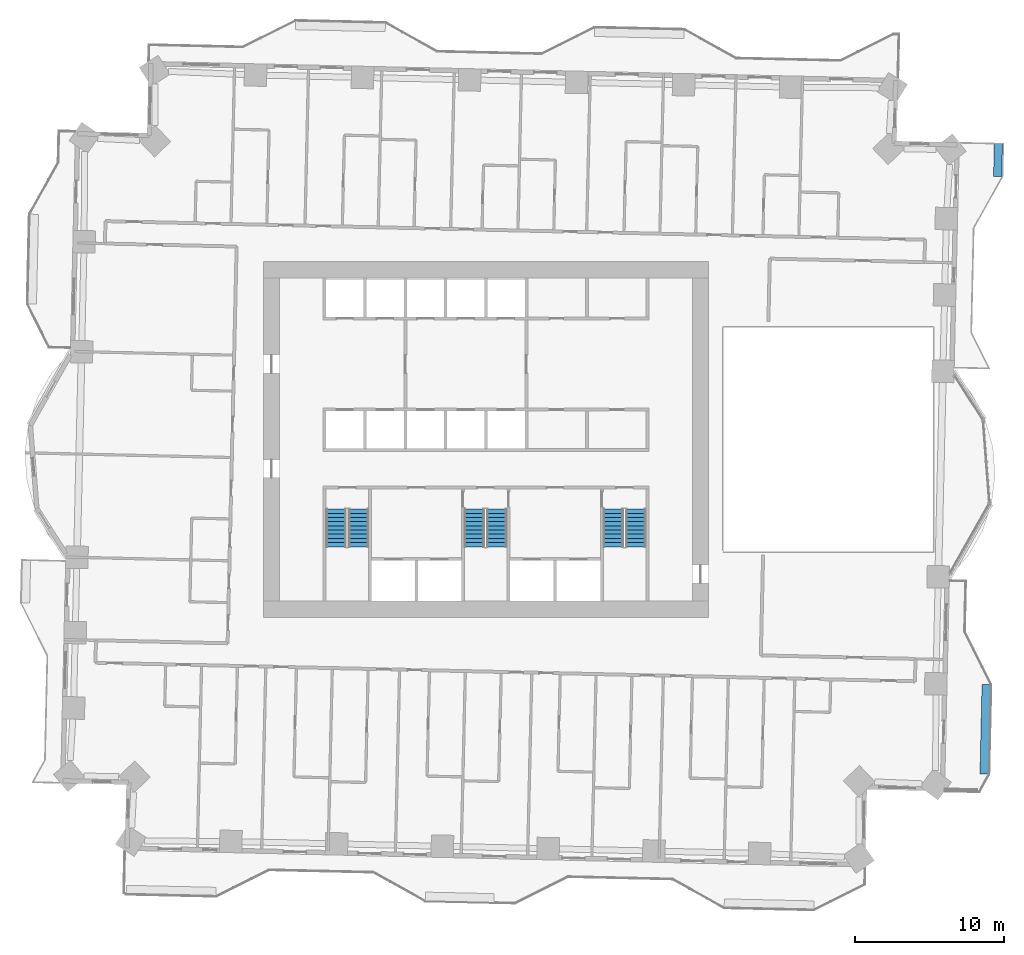
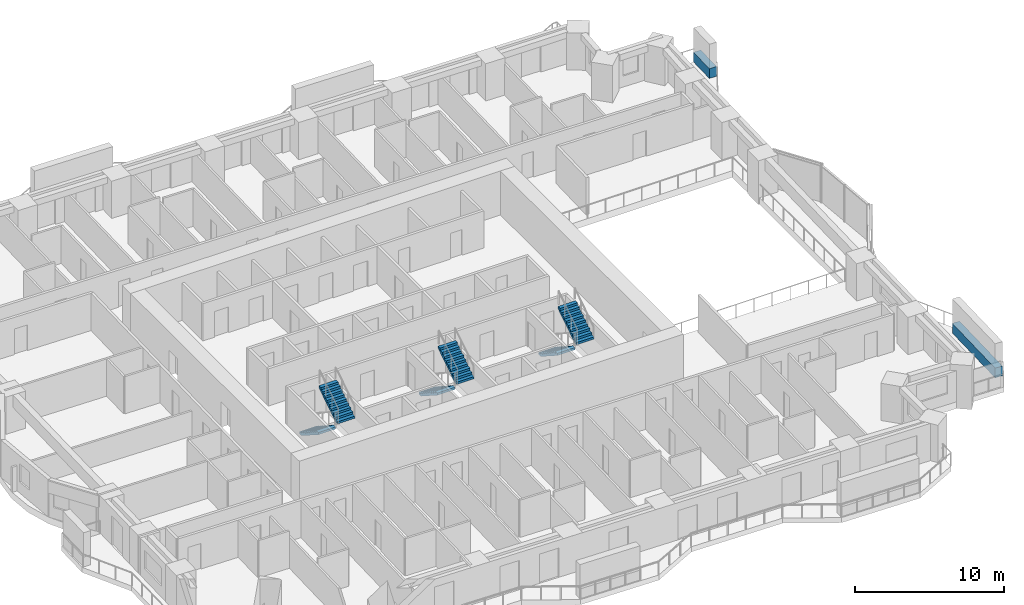
# One storey, part 15 of 20: 6 stair flights, 2 walls, 3 elements without a shape of their own.
"""IFC4 building model written with IfcOpenShell, lengths in metres."""

from ifc_helpers import new_model, si_unit, direction, frame, frame_2d, origin, place, context, subcontext, project, spatial, polyline, rectangle, outline, extrude, material, layer, layer_set, type_object, element, aggregate, save


model = new_model("IFC4")

# Units and contexts
model_context = context("Model", 3, precision=1e-05, world=origin(), true_north=direction((0.0, 1.0)))
body_context = subcontext(model_context, "Body", "Model", "MODEL_VIEW")
ifc_project = project(units=[si_unit("LENGTHUNIT", "METRE"), si_unit("AREAUNIT", "SQUARE_METRE"), si_unit("VOLUMEUNIT", "CUBIC_METRE"), si_unit("PLANEANGLEUNIT", "RADIAN"), si_unit("MASSUNIT", "GRAM", prefix="KILO")], contexts=[model_context])

# Site, building, storey
site_placement = place(None, origin())
site = spatial("IfcSite", under=ifc_project, at=site_placement, CompositionType="ELEMENT")
building_placement = place(site_placement, origin())
building = spatial("IfcBuilding", under=site, at=building_placement, Name="Mangrove Gate Tower", CompositionType="ELEMENT")
storey_placement = place(building_placement, frame((0.0, 0.0, 60.300048828125)))
storey = spatial("IfcBuildingStorey", under=building, at=storey_placement, Name="L14", CompositionType="ELEMENT", Elevation=60.300048828125)

# Walls
ifc_material_1 = material(Name="Concrete C32/40", Category="concrete")
ifc_layer_1 = layer(ifc_material_1, 0.199951171875, Name="Planter trough wall")
ifc_material_2 = material(Name="Bituminous waterproofing membrane")
ifc_layer_2 = layer(ifc_material_2, 0.0048828125, Name="Waterproofing")
ifc_material_3 = material(Name="Drainage board and gravel")
ifc_layer_3 = layer(ifc_material_3, 0.044921875, Name="Drainage layer")
ifc_material_4 = material(Name="Planting soil")
ifc_layer_4 = layer(ifc_material_4, 0.300048828125, Name="Growing medium")
ifc_layer_set = layer_set([ifc_layer_1, ifc_layer_2, ifc_layer_3, ifc_layer_4], Name="Planter wall 550 C32/40")
wall_type = type_object("IfcWallType", Name="Planter wall 550 C32/40", PredefinedType="USERDEFINED", material=ifc_layer_set)
wall_1_placement = place(storey_placement, frame((33.321044921875, -22.375, 0.0), z_axis=(0.0, 0.0, 1.0), x_axis=(0.022665943652, 0.999743094499, 0.0)))
element("IfcWall", 1, at=wall_1_placement, inside=storey, type_object=wall_type, Name="PLANTER L14 E0.1", ObjectType="PLANTER", PredefinedType="USERDEFINED", context=body_context, shape_type="SweptSolid", body=[
    extrude(rectangle(XDim=5.99951171875, YDim=0.550048828125, at=frame_2d((2.999755859375, 0.0))), origin(), (0.0, 0.0, 1.0), 0.800048828125),
])
wall_2_placement = place(storey_placement, frame((34.22802734375, 17.614013671875, 0.0), z_axis=(0.0, 0.0, 1.0), x_axis=(0.022744087289, 0.999741319789, 0.0)))
element("IfcWall", 2, at=wall_2_placement, inside=storey, type_object=wall_type, Name="PLANTER L14 E1.1", ObjectType="PLANTER", PredefinedType="USERDEFINED", context=body_context, shape_type="SweptSolid", body=[
    extrude(rectangle(XDim=2.200439453125, YDim=0.550048828125, at=frame_2d((1.10009765625, 0.0))), origin(), (0.0, 0.0, 1.0), 0.800048828125),
])

# Stair, stair flights
ifc_material_5 = material(Name="Concrete C40/50", Category="concrete")
stair_type = type_object("IfcStairType", Name="Core stair 1350", PredefinedType="HALF_TURN_STAIR", material=ifc_material_5)
stair_1_placement = place(storey_placement, origin())
stair_1 = element("IfcStair", 3, at=stair_1_placement, inside=storey, type_object=stair_type, Name="L14 Stair 1", PredefinedType="HALF_TURN_STAIR")
ifc_material_6 = material(Name="Concrete C40/50", Category="concrete")
stair_flight_type = type_object("IfcStairFlightType", Name="Core stair flight 1350", PredefinedType="STRAIGHT", material=ifc_material_6)
stair_flight_1_placement = place(storey_placement, frame((-10.02490234375, -4.64990234375, 0.0), z_axis=(0.0, 0.0, 1.0), x_axis=(0.0, -1.0, 0.0)))
stair_flight_1 = element("IfcStairFlight", 4, at=stair_flight_1_placement, type_object=stair_flight_type, Name="ST1 flight 1", NumberOfRisers=10, NumberOfTreads=9, PredefinedType="STRAIGHT", RiserHeight=0.18, TreadLength=0.28, context=body_context, shape_type="SweptSolid", body=[
    extrude(outline(polyline([(0.0, 0.0), (0.0, 0.179931640625), (0.280029296875, 0.179931640625), (0.280029296875, 0.360107421875), (0.56005859375, 0.360107421875), (0.56005859375, 0.5400390625), (0.840087890625, 0.5400390625), (0.840087890625, 0.719970703125), (1.1201171875, 0.719970703125), (1.1201171875, 0.89990234375), (1.39990234375, 0.89990234375), (1.39990234375, 1.080078125), (1.679931640625, 1.080078125), (1.679931640625, 1.260009765625), (1.9599609375, 1.260009765625), (1.9599609375, 1.43994140625), (2.239990234375, 1.43994140625), (2.239990234375, 1.6201171875), (2.52001953125, 1.6201171875), (2.52001953125, 1.800048828125), (2.52001953125, 1.44189453125), (0.277099609375, 0.0), (0.0, 0.0)])), frame((0.0, 0.675048828125, 0.0), z_axis=(0.0, -1.0, 0.0), x_axis=(1.0, 0.0, 0.0)), (0.0, 0.0, 1.0), 1.35009765625),
])
stair_flight_2_placement = place(storey_placement, frame((-8.52490234375, -7.169921875, 1.800048828125), z_axis=(0.0, 0.0, 1.0), x_axis=(0.0, 1.0, 0.0)))
stair_flight_2 = element("IfcStairFlight", 5, at=stair_flight_2_placement, type_object=stair_flight_type, Name="ST1 flight 2", NumberOfRisers=10, NumberOfTreads=9, PredefinedType="STRAIGHT", RiserHeight=0.18, TreadLength=0.28, context=body_context, shape_type="SweptSolid", body=[
    extrude(outline(polyline([(0.0, 0.0), (0.0, 0.179931640625), (0.280029296875, 0.179931640625), (0.280029296875, 0.360107421875), (0.56005859375, 0.360107421875), (0.56005859375, 0.5400390625), (0.840087890625, 0.5400390625), (0.840087890625, 0.719970703125), (1.1201171875, 0.719970703125), (1.1201171875, 0.89990234375), (1.39990234375, 0.89990234375), (1.39990234375, 1.080078125), (1.679931640625, 1.080078125), (1.679931640625, 1.260009765625), (1.9599609375, 1.260009765625), (1.9599609375, 1.43994140625), (2.239990234375, 1.43994140625), (2.239990234375, 1.6201171875), (2.52001953125, 1.6201171875), (2.52001953125, 1.800048828125), (2.52001953125, 1.44189453125), (0.277099609375, 0.0), (0.0, 0.0)])), frame((0.0, 0.675048828125, 0.0), z_axis=(0.0, -1.0, 0.0), x_axis=(1.0, 0.0, 0.0)), (0.0, 0.0, 1.0), 1.35009765625),
])
aggregate(stair_1, [stair_flight_1, stair_flight_2])

stair_2_placement = place(storey_placement, origin())
stair_2 = element("IfcStair", 6, at=stair_2_placement, inside=storey, type_object=stair_type, Name="L14 Stair 2", PredefinedType="HALF_TURN_STAIR")
stair_flight_3_placement = place(storey_placement, frame((-0.77490234375, -4.64990234375, 0.0), z_axis=(0.0, 0.0, 1.0), x_axis=(0.0, -1.0, 0.0)))
stair_flight_3 = element("IfcStairFlight", 7, at=stair_flight_3_placement, type_object=stair_flight_type, Name="ST2 flight 1", NumberOfRisers=10, NumberOfTreads=9, PredefinedType="STRAIGHT", RiserHeight=0.18, TreadLength=0.28, context=body_context, shape_type="SweptSolid", body=[
    extrude(outline(polyline([(0.0, 0.0), (0.0, 0.179931640625), (0.280029296875, 0.179931640625), (0.280029296875, 0.360107421875), (0.56005859375, 0.360107421875), (0.56005859375, 0.5400390625), (0.840087890625, 0.5400390625), (0.840087890625, 0.719970703125), (1.1201171875, 0.719970703125), (1.1201171875, 0.89990234375), (1.39990234375, 0.89990234375), (1.39990234375, 1.080078125), (1.679931640625, 1.080078125), (1.679931640625, 1.260009765625), (1.9599609375, 1.260009765625), (1.9599609375, 1.43994140625), (2.239990234375, 1.43994140625), (2.239990234375, 1.6201171875), (2.52001953125, 1.6201171875), (2.52001953125, 1.800048828125), (2.52001953125, 1.44189453125), (0.277099609375, 0.0), (0.0, 0.0)])), frame((0.0, 0.675048828125, 0.0), z_axis=(0.0, -1.0, 0.0), x_axis=(1.0, 0.0, 0.0)), (0.0, 0.0, 1.0), 1.35009765625),
])
stair_flight_4_placement = place(storey_placement, frame((0.72509765625, -7.169921875, 1.800048828125), z_axis=(0.0, 0.0, 1.0), x_axis=(0.0, 1.0, 0.0)))
stair_flight_4 = element("IfcStairFlight", 8, at=stair_flight_4_placement, type_object=stair_flight_type, Name="ST2 flight 2", NumberOfRisers=10, NumberOfTreads=9, PredefinedType="STRAIGHT", RiserHeight=0.18, TreadLength=0.28, context=body_context, shape_type="SweptSolid", body=[
    extrude(outline(polyline([(0.0, 0.0), (0.0, 0.179931640625), (0.280029296875, 0.179931640625), (0.280029296875, 0.360107421875), (0.56005859375, 0.360107421875), (0.56005859375, 0.5400390625), (0.840087890625, 0.5400390625), (0.840087890625, 0.719970703125), (1.1201171875, 0.719970703125), (1.1201171875, 0.89990234375), (1.39990234375, 0.89990234375), (1.39990234375, 1.080078125), (1.679931640625, 1.080078125), (1.679931640625, 1.260009765625), (1.9599609375, 1.260009765625), (1.9599609375, 1.43994140625), (2.239990234375, 1.43994140625), (2.239990234375, 1.6201171875), (2.52001953125, 1.6201171875), (2.52001953125, 1.800048828125), (2.52001953125, 1.44189453125), (0.277099609375, 0.0), (0.0, 0.0)])), frame((0.0, 0.675048828125, 0.0), z_axis=(0.0, -1.0, 0.0), x_axis=(1.0, 0.0, 0.0)), (0.0, 0.0, 1.0), 1.35009765625),
])
aggregate(stair_2, [stair_flight_3, stair_flight_4])

stair_3_placement = place(storey_placement, origin())
stair_3 = element("IfcStair", 9, at=stair_3_placement, inside=storey, type_object=stair_type, Name="L14 Stair 3", PredefinedType="HALF_TURN_STAIR")
stair_flight_5_placement = place(storey_placement, frame((8.52490234375, -4.64990234375, 0.0), z_axis=(0.0, 0.0, 1.0), x_axis=(0.0, -1.0, 0.0)))
stair_flight_5 = element("IfcStairFlight", 10, at=stair_flight_5_placement, type_object=stair_flight_type, Name="ST3 flight 1", NumberOfRisers=10, NumberOfTreads=9, PredefinedType="STRAIGHT", RiserHeight=0.18, TreadLength=0.28, context=body_context, shape_type="SweptSolid", body=[
    extrude(outline(polyline([(0.0, 0.0), (0.0, 0.179931640625), (0.280029296875, 0.179931640625), (0.280029296875, 0.360107421875), (0.56005859375, 0.360107421875), (0.56005859375, 0.5400390625), (0.840087890625, 0.5400390625), (0.840087890625, 0.719970703125), (1.1201171875, 0.719970703125), (1.1201171875, 0.89990234375), (1.39990234375, 0.89990234375), (1.39990234375, 1.080078125), (1.679931640625, 1.080078125), (1.679931640625, 1.260009765625), (1.9599609375, 1.260009765625), (1.9599609375, 1.43994140625), (2.239990234375, 1.43994140625), (2.239990234375, 1.6201171875), (2.52001953125, 1.6201171875), (2.52001953125, 1.800048828125), (2.52001953125, 1.44189453125), (0.277099609375, 0.0), (0.0, 0.0)])), frame((0.0, 0.675048828125, 0.0), z_axis=(0.0, -1.0, 0.0), x_axis=(1.0, 0.0, 0.0)), (0.0, 0.0, 1.0), 1.35009765625),
])
stair_flight_6_placement = place(storey_placement, frame((10.02490234375, -7.169921875, 1.800048828125), z_axis=(0.0, 0.0, 1.0), x_axis=(0.0, 1.0, 0.0)))
stair_flight_6 = element("IfcStairFlight", 11, at=stair_flight_6_placement, type_object=stair_flight_type, Name="ST3 flight 2", NumberOfRisers=10, NumberOfTreads=9, PredefinedType="STRAIGHT", RiserHeight=0.18, TreadLength=0.28, context=body_context, shape_type="SweptSolid", body=[
    extrude(outline(polyline([(0.0, 0.0), (0.0, 0.179931640625), (0.280029296875, 0.179931640625), (0.280029296875, 0.360107421875), (0.56005859375, 0.360107421875), (0.56005859375, 0.5400390625), (0.840087890625, 0.5400390625), (0.840087890625, 0.719970703125), (1.1201171875, 0.719970703125), (1.1201171875, 0.89990234375), (1.39990234375, 0.89990234375), (1.39990234375, 1.080078125), (1.679931640625, 1.080078125), (1.679931640625, 1.260009765625), (1.9599609375, 1.260009765625), (1.9599609375, 1.43994140625), (2.239990234375, 1.43994140625), (2.239990234375, 1.6201171875), (2.52001953125, 1.6201171875), (2.52001953125, 1.800048828125), (2.52001953125, 1.44189453125), (0.277099609375, 0.0), (0.0, 0.0)])), frame((0.0, 0.675048828125, 0.0), z_axis=(0.0, -1.0, 0.0), x_axis=(1.0, 0.0, 0.0)), (0.0, 0.0, 1.0), 1.35009765625),
])
aggregate(stair_3, [stair_flight_5, stair_flight_6])

save(model, "model.ifc")
